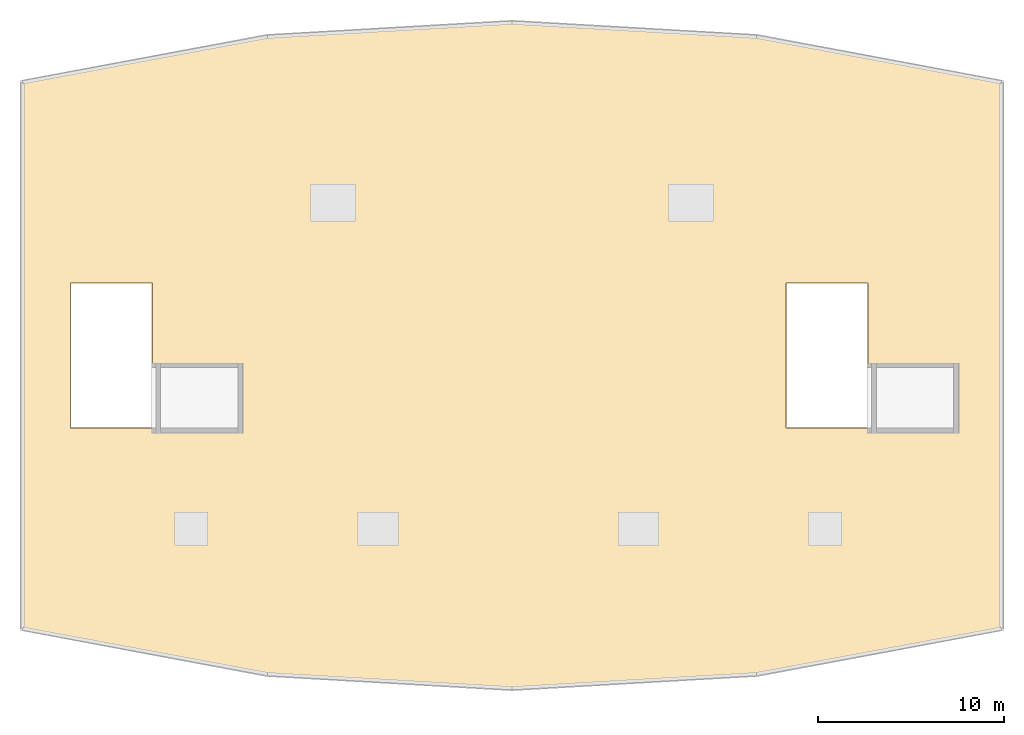
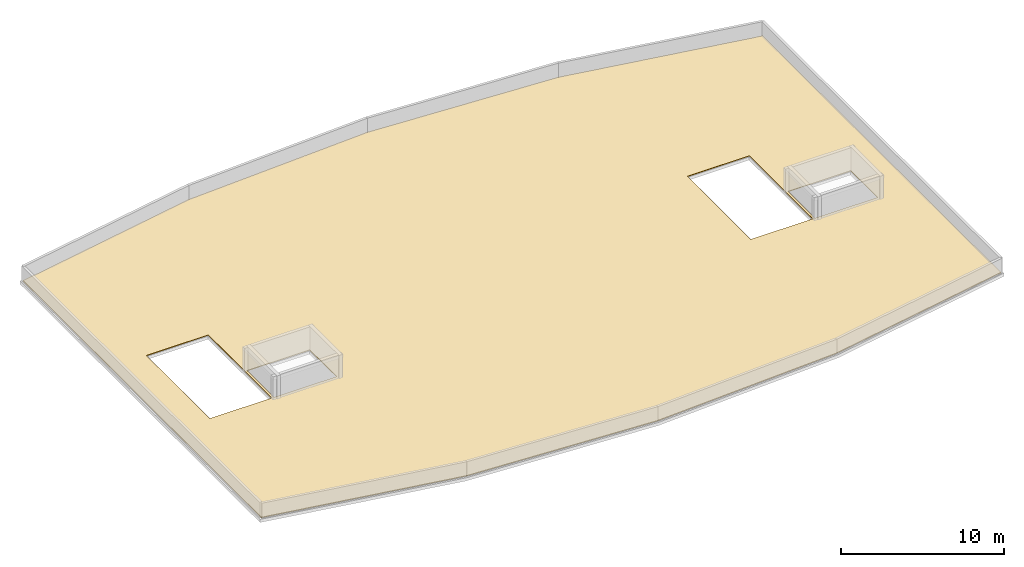
# One storey, part 2 of 2: 1 covering.
"""IFC4 building model written with IfcOpenShell, lengths in metres."""

import ifcopenshell
import ifcopenshell.guid

model = None  # the IFC model being written
_history = None  # IfcOwnerHistory: only IFC2X3 demands one
_inside = {}  # id of a spatial element -> (the spatial element, [elements in it])
_under = {}  # id of a project, library or spatial element -> (it, [spatial elements below it])
_declared = {}  # id of a project -> (the project, [libraries it declares])
_typed = {}  # id of a type object -> (the type object, [elements of that type])
_made_of = {}  # id of a material, layer set ... -> (it, [elements and type objects made of it])


def new_model(schema):
    """Start an empty IFC model of exactly this schema.

    Asked for "IFC4X3", IfcOpenShell would pick the latest addendum, in which some entities
    have other attributes; the version numbers below select the first issue.
    IFC2X3 requires an IfcOwnerHistory on every rooted entity: one is made here for all.
    """
    global model, _history
    if schema == "IFC4X3":
        model = ifcopenshell.file(schema_version=(4, 3, 0, 0))
    else:
        model = ifcopenshell.file(schema=schema)
    _inside.clear()
    _under.clear()
    _declared.clear()
    _typed.clear()
    _made_of.clear()
    _history = None
    if model.schema == "IFC2X3":
        org = make("IfcOrganization", Name="unknown")
        user = make(
            "IfcPersonAndOrganization",
            ThePerson=make("IfcPerson", FamilyName="unknown"),
            TheOrganization=org,
        )
        app = make(
            "IfcApplication",
            ApplicationDeveloper=org,
            Version="unknown",
            ApplicationFullName="unknown",
            ApplicationIdentifier="unknown",
        )
        _history = make(
            "IfcOwnerHistory",
            OwningUser=user,
            OwningApplication=app,
            ChangeAction="ADDED",
            CreationDate=0,
        )
    return model


def make(cls, **values):
    """One entity of the class cls with the attributes given. An attribute that is None is left unset."""
    return model.create_entity(
        cls, **{name: value for name, value in values.items() if value is not None}
    )


def rooted(cls, **values):
    """An entity with a GlobalId (a new one), such as an element, a storey or a relation."""
    return make(cls, GlobalId=ifcopenshell.guid.new(), OwnerHistory=_history, **values)


def si_unit(unit_type, name, prefix=None):
    """IfcSIUnit, for example si_unit("LENGTHUNIT", "METRE", prefix="MILLI")."""
    return make("IfcSIUnit", UnitType=unit_type, Prefix=prefix, Name=name)


def assignment(units):
    """IfcUnitAssignment: the units of a project."""
    return None if units is None else make("IfcUnitAssignment", Units=units)


def point(xyz):
    """IfcCartesianPoint."""
    return None if xyz is None else make("IfcCartesianPoint", Coordinates=xyz)


def direction(xyz):
    """IfcDirection."""
    return None if xyz is None else make("IfcDirection", DirectionRatios=xyz)


def frame(location, z_axis=None, x_axis=None):
    """IfcAxis2Placement3D, a coordinate frame: its origin and axes. An axis left out is left unset."""
    return make(
        "IfcAxis2Placement3D",
        Location=point(location),
        Axis=direction(z_axis),
        RefDirection=direction(x_axis),
    )


def origin():
    """The frame at (0, 0, 0) with its axes left unset."""
    return frame((0.0, 0.0, 0.0))


def place(relative_to, where):
    """IfcLocalPlacement: puts the frame where relative to a parent placement (None: the world)."""
    return make(
        "IfcLocalPlacement", PlacementRelTo=relative_to, RelativePlacement=where
    )


def context(
    kind, dimensions, precision=None, world=None, true_north=None, identifier=None
):
    """IfcGeometricRepresentationContext, for example the 3D "Model" context."""
    return make(
        "IfcGeometricRepresentationContext",
        ContextIdentifier=identifier,
        ContextType=kind,
        CoordinateSpaceDimension=dimensions,
        Precision=precision,
        WorldCoordinateSystem=world,
        TrueNorth=true_north,
    )


def subcontext(parent, identifier, kind, view, scale=None):
    """IfcGeometricRepresentationSubContext, for example "Body" below "Model"."""
    return make(
        "IfcGeometricRepresentationSubContext",
        ContextIdentifier=identifier,
        ContextType=kind,
        ParentContext=parent,
        TargetScale=scale,
        TargetView=view,
    )


def project(units=None, contexts=None):
    """IfcProject with its units and contexts."""
    return rooted(
        "IfcProject",
        Name="project",
        RepresentationContexts=contexts,
        UnitsInContext=assignment(units),
    )


def spatial(cls, under=None, at=None, **own):
    """A site, building, storey or space (cls), placed at a placement, below another one or the project."""
    s = rooted(cls, ObjectPlacement=at, **own)
    if under is not None:
        _under.setdefault(under.id(), (under, []))[1].append(s)
    return s


def polyline(points):
    """IfcPolyline through the points."""
    return make("IfcPolyline", Points=[point(p) for p in points])


def outline(outer, holes=None, kind="AREA"):
    """IfcArbitraryClosedProfileDef: a profile drawn as a closed curve; with holes, ...WithVoids."""
    if holes is None:
        return make("IfcArbitraryClosedProfileDef", ProfileType=kind, OuterCurve=outer)
    return make(
        "IfcArbitraryProfileDefWithVoids",
        ProfileType=kind,
        OuterCurve=outer,
        InnerCurves=holes,
    )


def extrude(swept, where, along, depth):
    """IfcExtrudedAreaSolid: the profile swept, set in the frame where, extruded along a direction by depth."""
    return make(
        "IfcExtrudedAreaSolid",
        SweptArea=swept,
        Position=where,
        ExtrudedDirection=direction(along),
        Depth=depth,
    )


def shape(context_of_items, identifier, shape_type, items):
    """IfcShapeRepresentation: the items that make up one representation, for example the "Body"."""
    return make(
        "IfcShapeRepresentation",
        ContextOfItems=context_of_items,
        RepresentationIdentifier=identifier,
        RepresentationType=shape_type,
        Items=items,
    )


def material(Name=None, Category=None):
    """IfcMaterial."""
    return make("IfcMaterial", Name=Name, Category=Category)


def layer(
    of_material, thickness, ventilated=None, Name=None, Category=None, Priority=None
):
    """IfcMaterialLayer: one layer of a wall or slab, of a material (None: an air gap)."""
    return make(
        "IfcMaterialLayer",
        Material=of_material,
        LayerThickness=thickness,
        IsVentilated=ventilated,
        Name=Name,
        Category=Category,
        Priority=Priority,
    )


def layer_set(layers, Name=None):
    """IfcMaterialLayerSet."""
    return make("IfcMaterialLayerSet", MaterialLayers=layers, LayerSetName=Name)


def made_of(thing, what):
    """Note that an element or type object is made of a material, layer set ...; save() writes the relation."""
    if what is not None:
        _made_of.setdefault(what.id(), (what, []))[1].append(thing)
    return thing


def type_object(cls, material=None, **own):
    """A type object (cls), such as IfcWallType, which elements share."""
    return made_of(rooted(cls, **own), material)


def element(
    cls,
    number,
    at=None,
    inside=None,
    cuts=None,
    type_object=None,
    material=None,
    context=None,
    identifier="Body",
    shape_type=None,
    held_by="IfcProductDefinitionShape",
    body=None,
    shapes=None,
    **own,
):
    """One element of the class cls, such as IfcWall. Its Tag is "e" and its number.

    at: its placement. inside: the storey or other place that contains it. cuts: it is an
    opening in that element (IfcRelVoidsElement). A single representation is given by context,
    identifier, shape_type and body (its items); several are given by shapes. held_by: the class
    of the entity that holds the representations. save() writes the other relations.
    """
    e = rooted(cls, Tag="e%d" % number, ObjectPlacement=at, **own)
    if body is not None:
        shapes = [shape(context, identifier, shape_type, body)]
    if shapes is not None:
        e.Representation = make(held_by, Representations=shapes)
    if inside is not None:
        _inside.setdefault(inside.id(), (inside, []))[1].append(e)
    if cuts is not None:
        rooted(
            "IfcRelVoidsElement", RelatingBuildingElement=cuts, RelatedOpeningElement=e
        )
    if type_object is not None:
        _typed.setdefault(type_object.id(), (type_object, []))[1].append(e)
    return made_of(e, material)


def aggregate(whole, parts):
    """IfcRelAggregates: a whole, such as a stair, and the parts it consists of."""
    return rooted("IfcRelAggregates", RelatingObject=whole, RelatedObjects=parts)


def save(model, path):
    """Write the relations noted so far, then the file.

    IfcRelAggregates (storeys below a building ...), IfcRelContainedInSpatialStructure (elements
    in a storey), IfcRelDefinesByType, IfcRelAssociatesMaterial and IfcRelDeclares: one each for
    every whole, place, type object, material and project.
    """
    for whole, parts in _under.values():
        aggregate(whole, parts)
    for where, things in _inside.values():
        rooted(
            "IfcRelContainedInSpatialStructure",
            RelatedElements=things,
            RelatingStructure=where,
        )
    for kind, things in _typed.values():
        rooted("IfcRelDefinesByType", RelatedObjects=things, RelatingType=kind)
    for what, things in _made_of.values():
        rooted("IfcRelAssociatesMaterial", RelatedObjects=things, RelatingMaterial=what)
    for by, libraries in _declared.values():
        rooted("IfcRelDeclares", RelatingContext=by, RelatedDefinitions=libraries)
    model.write(path)


model = new_model("IFC4")

# Units and contexts
model_context = context("Model", 3, precision=1e-05, world=origin(), true_north=direction((0.0, 1.0)))
body_context = subcontext(model_context, "Body", "Model", "MODEL_VIEW")
ifc_project = project(units=[si_unit("LENGTHUNIT", "METRE"), si_unit("AREAUNIT", "SQUARE_METRE"), si_unit("VOLUMEUNIT", "CUBIC_METRE"), si_unit("PLANEANGLEUNIT", "RADIAN"), si_unit("MASSUNIT", "GRAM", prefix="KILO")], contexts=[model_context])

# Site, building, storey
site_placement = place(None, origin())
site = spatial("IfcSite", under=ifc_project, at=site_placement, CompositionType="ELEMENT")
building_placement = place(site_placement, origin())
building = spatial("IfcBuilding", under=site, at=building_placement, Name="Kolvemor Railside Polytechnic", CompositionType="ELEMENT")
storey_placement = place(building_placement, frame((0.0, 0.0, 31.800048828125)))
storey = spatial("IfcBuildingStorey", under=building, at=storey_placement, Name="RF", CompositionType="ELEMENT", Elevation=31.800048828125)

# Covering
ifc_material = material(Name="High-reflectance tropical cool-roof TPO membrane")
ifc_layer = layer(ifc_material, 0.044921875, Name="COV-ROOF-TPO")
ifc_layer_set = layer_set([ifc_layer], Name="High-reflectance tropical cool-roof TPO membrane")
covering_type = type_object("IfcCoveringType", Name="COV-ROOF-TPO", PredefinedType="ROOFING", material=ifc_layer_set)
covering_placement = place(storey_placement, origin())
element("IfcCovering", 1, at=covering_placement, inside=storey, type_object=covering_type, Name="Learning Commons Cool-Roof Membrane", PredefinedType="ROOFING", context=body_context, shape_type="SweptSolid", body=[
    extrude(outline(polyline([(64.949951171875, 11.14990234375), (78.074951171875, 8.7080078125), (91.199951171875, 7.949951171875), (104.324951171875, 8.7080078125), (117.449951171875, 11.14990234375), (117.449951171875, 40.449951171875), (104.324951171875, 42.89208984375), (91.199951171875, 43.64990234375), (78.074951171875, 42.89208984375), (64.949951171875, 40.449951171875), (64.949951171875, 11.14990234375)]), holes=[polyline([(67.5, 21.89990234375), (71.89990234375, 21.89990234375), (71.89990234375, 29.699951171875), (67.5, 29.699951171875), (67.5, 21.89990234375)]), polyline([(72.050048828125, 21.89990234375), (76.5, 21.89990234375), (76.5, 25.199951171875), (72.050048828125, 25.199951171875), (72.050048828125, 21.89990234375)]), polyline([(105.89990234375, 21.89990234375), (110.300048828125, 21.89990234375), (110.300048828125, 29.699951171875), (105.89990234375, 29.699951171875), (105.89990234375, 21.89990234375)]), polyline([(110.449951171875, 21.89990234375), (114.89990234375, 21.89990234375), (114.89990234375, 25.199951171875), (110.449951171875, 25.199951171875), (110.449951171875, 21.89990234375)])]), origin(), (0.0, 0.0, 1.0), 0.044921875),
])

save(model, "model.ifc")
